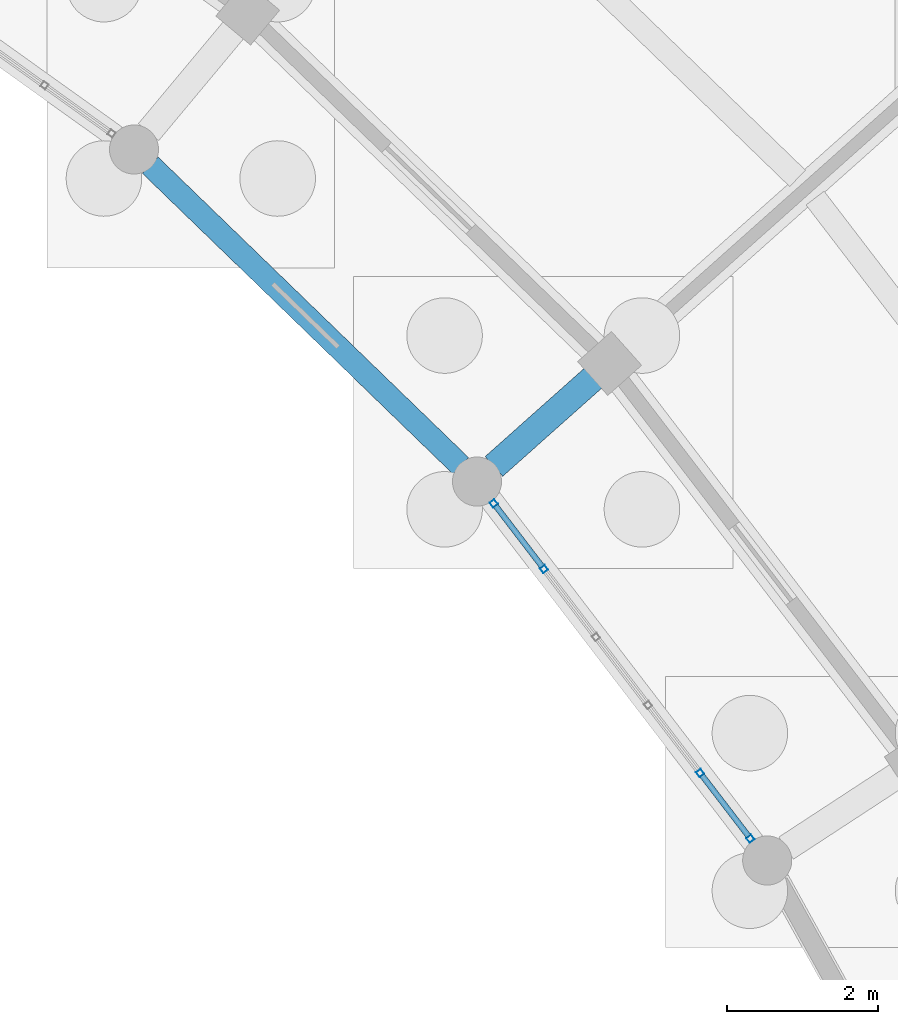
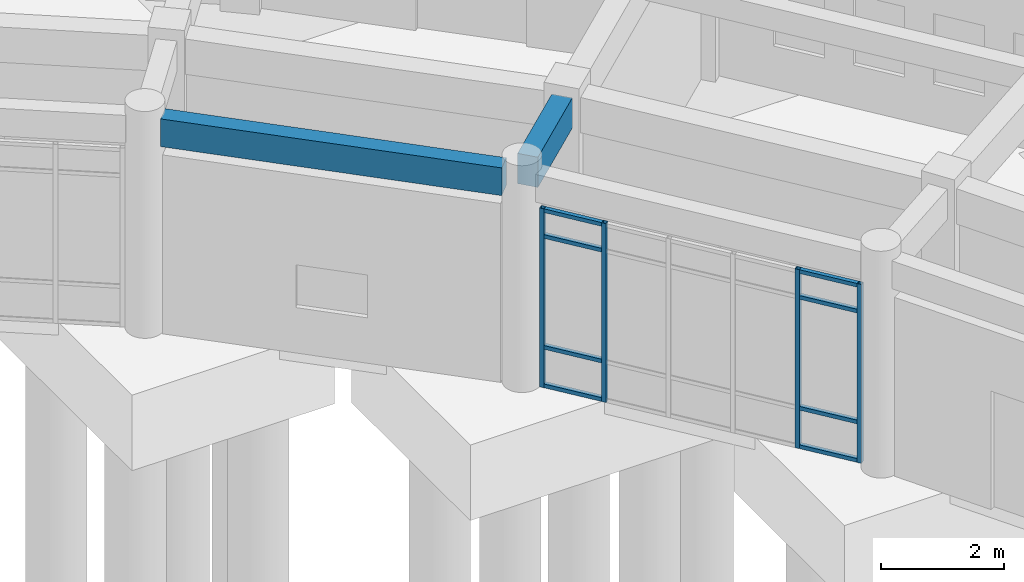
# One storey, part 78 of 153: 12 members, 2 beams, 1 element without a shape of its own.
"""IFC4 building model written with IfcOpenShell, lengths in metres."""

from ifc_helpers import new_model, si_unit, direction, frame, origin, origin_2d, place, context, subcontext, project, spatial, rectangle, hollow_rectangle, extrude, material, material_profile, profile_set, type_object, element, aggregate, save


model = new_model("IFC4")

# Units and contexts
model_context = context("Model", 3, precision=1e-05, world=origin(), true_north=direction((0.0, 1.0)))
body_context = subcontext(model_context, "Body", "Model", "MODEL_VIEW")
ifc_project = project(units=[si_unit("LENGTHUNIT", "METRE"), si_unit("AREAUNIT", "SQUARE_METRE"), si_unit("VOLUMEUNIT", "CUBIC_METRE"), si_unit("PLANEANGLEUNIT", "RADIAN"), si_unit("MASSUNIT", "GRAM", prefix="KILO")], contexts=[model_context])

# Site, building, storey
site_placement = place(None, origin())
site = spatial("IfcSite", under=ifc_project, at=site_placement, CompositionType="ELEMENT")
building_placement = place(site_placement, origin())
building = spatial("IfcBuilding", under=site, at=building_placement, Name="Celadon Cloister-Ring School", CompositionType="ELEMENT")
storey_placement = place(building_placement, origin())
storey = spatial("IfcBuildingStorey", under=building, at=storey_placement, Name="L00", CompositionType="ELEMENT", Elevation=0.0)

# Beam
ifc_material_1 = material(Name="Concrete C35/45", Category="concrete")
ifc_material_profile_1 = material_profile(ifc_material_1, rectangle(XDim=0.35009765625, YDim=0.60009765625, at=origin_2d()), Name="RC350X600")
ifc_profile_set_1 = profile_set([ifc_material_profile_1], Name="Concrete C35/45")
beam_type_1 = type_object("IfcBeamType", Name="BT-02", PredefinedType="BEAM", material=ifc_profile_set_1)
beam_1_placement = place(storey_placement, frame((120.39990234375, 88.7451171875, 3.97998046875), z_axis=(-0.746969032985, -0.664858829949, 0.0), x_axis=(0.664858829949, -0.746969032985, 0.0)))
element("IfcBeam", 1, at=beam_1_placement, inside=storey, type_object=beam_type_1, Name="Beam 0064", PredefinedType="BEAM", context=body_context, shape_type="SweptSolid", body=[
    extrude(rectangle(XDim=0.35009765625, YDim=0.60009765625, at=origin_2d()), origin(), (0.0, 0.0, 1.0), 1.775146484375),
])

# Curtain wall, members
ifc_material_2 = material(Name="Aluminium EN AW-6063 T6", Category="aluminium")
curtain_wall_type = type_object("IfcCurtainWallType", Name="CW-01", PredefinedType="USERDEFINED", material=ifc_material_2)
curtain_wall_placement = place(storey_placement, origin())
curtain_wall = element("IfcCurtainWall", 2, at=curtain_wall_placement, inside=storey, type_object=curtain_wall_type, Name="Curtain Wall 0019", ObjectType="CURTAIN WALL", PredefinedType="USERDEFINED")
ifc_material_3 = material(Name="Aluminium EN AW-6063 T6", Category="aluminium")
ifc_material_profile_2 = material_profile(ifc_material_3, hollow_rectangle(XDim=0.080078125, YDim=0.080078125, WallThickness=0.00390625, at=origin_2d()), Name="RHS80X80X4")
ifc_profile_set_2 = profile_set([ifc_material_profile_2], Name="Aluminium EN AW-6063 T6")
member_type_1 = type_object("IfcMemberType", Name="CM-03", PredefinedType="MULLION", material=ifc_profile_set_2)
member_1_placement = place(storey_placement, frame((122.46875, 82.638671875, 0.0), z_axis=(0.0, 0.0, 1.0), x_axis=(-0.794032169563, -0.607875738699, 0.0)))
member_1 = element("IfcMember", 3, at=member_1_placement, type_object=member_type_1, Name="CW-01 mullion 1", PredefinedType="MULLION", context=body_context, shape_type="SweptSolid", body=[
    extrude(hollow_rectangle(XDim=0.080078125, YDim=0.080078125, WallThickness=0.00390625, at=origin_2d()), origin(), (0.0, 0.0, 1.0), 3.550048828125),
])
member_2_placement = place(storey_placement, frame((121.803955078125, 83.507080078125, 0.0), z_axis=(0.0, 0.0, 1.0), x_axis=(-0.794032169563, -0.607875738699, 0.0)))
member_2 = element("IfcMember", 4, at=member_2_placement, type_object=member_type_1, Name="CW-01 mullion 2", PredefinedType="MULLION", context=body_context, shape_type="SweptSolid", body=[
    extrude(hollow_rectangle(XDim=0.080078125, YDim=0.080078125, WallThickness=0.00390625, at=origin_2d()), origin(), (0.0, 0.0, 1.0), 3.550048828125),
])
member_3_placement = place(storey_placement, frame((119.737060546875, 86.20703125, 0.0), z_axis=(0.0, 0.0, 1.0), x_axis=(-0.794032169563, -0.607875738699, 0.0)))
member_3 = element("IfcMember", 5, at=member_3_placement, type_object=member_type_1, Name="CW-01 mullion 5", PredefinedType="MULLION", context=body_context, shape_type="SweptSolid", body=[
    extrude(hollow_rectangle(XDim=0.080078125, YDim=0.080078125, WallThickness=0.00390625, at=origin_2d()), origin(), (0.0, 0.0, 1.0), 3.550048828125),
])
member_4_placement = place(storey_placement, frame((119.072265625, 87.0751953125, 0.0), z_axis=(0.0, 0.0, 1.0), x_axis=(-0.794032169563, -0.607875738699, 0.0)))
member_4 = element("IfcMember", 6, at=member_4_placement, type_object=member_type_1, Name="CW-01 mullion 6", PredefinedType="MULLION", context=body_context, shape_type="SweptSolid", body=[
    extrude(hollow_rectangle(XDim=0.080078125, YDim=0.080078125, WallThickness=0.00390625, at=origin_2d()), origin(), (0.0, 0.0, 1.0), 3.550048828125),
])
ifc_material_4 = material(Name="Aluminium EN AW-6063 T6", Category="aluminium")
ifc_material_profile_3 = material_profile(ifc_material_4, hollow_rectangle(XDim=0.074951171875, YDim=0.074951171875, WallThickness=0.00390625, at=origin_2d()), Name="RHS75X75X4")
ifc_profile_set_3 = profile_set([ifc_material_profile_3], Name="Aluminium EN AW-6063 T6")
member_type_2 = type_object("IfcMemberType", Name="CTM-03", PredefinedType="USERDEFINED", material=ifc_profile_set_3)
member_5_placement = place(storey_placement, frame((122.4443359375, 82.67041015625, 0.03759765625), z_axis=(-0.607718292077, 0.794152678945, 0.0), x_axis=(-0.794152678945, -0.607718292077, 0.0)))
member_5 = element("IfcMember", 7, at=member_5_placement, type_object=member_type_2, Name="CW-01 transom 1.1", ObjectType="TRANSOM", PredefinedType="USERDEFINED", context=body_context, shape_type="SweptSolid", body=[
    extrude(hollow_rectangle(XDim=0.074951171875, YDim=0.074951171875, WallThickness=0.00390625, at=origin_2d()), origin(), (0.0, 0.0, 1.0), 1.013671875),
])
member_6_placement = place(storey_placement, frame((122.4443359375, 82.67041015625, 0.800048828125), z_axis=(-0.607718292077, 0.794152678945, 0.0), x_axis=(-0.794152678945, -0.607718292077, 0.0)))
member_6 = element("IfcMember", 8, at=member_6_placement, type_object=member_type_2, Name="CW-01 transom 1.2", ObjectType="TRANSOM", PredefinedType="USERDEFINED", context=body_context, shape_type="SweptSolid", body=[
    extrude(hollow_rectangle(XDim=0.074951171875, YDim=0.074951171875, WallThickness=0.00390625, at=origin_2d()), origin(), (0.0, 0.0, 1.0), 1.013671875),
])
member_7_placement = place(storey_placement, frame((122.4443359375, 82.67041015625, 3.0), z_axis=(-0.607718292077, 0.794152678945, 0.0), x_axis=(-0.794152678945, -0.607718292077, 0.0)))
member_7 = element("IfcMember", 9, at=member_7_placement, type_object=member_type_2, Name="CW-01 transom 1.3", ObjectType="TRANSOM", PredefinedType="USERDEFINED", context=body_context, shape_type="SweptSolid", body=[
    extrude(hollow_rectangle(XDim=0.074951171875, YDim=0.074951171875, WallThickness=0.00390625, at=origin_2d()), origin(), (0.0, 0.0, 1.0), 1.013671875),
])
member_8_placement = place(storey_placement, frame((122.4443359375, 82.67041015625, 3.512451171875), z_axis=(-0.607718292077, 0.794152678945, 0.0), x_axis=(-0.794152678945, -0.607718292077, 0.0)))
member_8 = element("IfcMember", 10, at=member_8_placement, type_object=member_type_2, Name="CW-01 transom 1.4", ObjectType="TRANSOM", PredefinedType="USERDEFINED", context=body_context, shape_type="SweptSolid", body=[
    extrude(hollow_rectangle(XDim=0.074951171875, YDim=0.074951171875, WallThickness=0.00390625, at=origin_2d()), origin(), (0.0, 0.0, 1.0), 1.013671875),
])
member_9_placement = place(storey_placement, frame((119.712646484375, 86.23876953125, 0.03759765625), z_axis=(-0.607834557378, 0.794063694458, 0.0), x_axis=(-0.794063694458, -0.607834557378, 0.0)))
member_9 = element("IfcMember", 11, at=member_9_placement, type_object=member_type_2, Name="CW-01 transom 5.1", ObjectType="TRANSOM", PredefinedType="USERDEFINED", context=body_context, shape_type="SweptSolid", body=[
    extrude(hollow_rectangle(XDim=0.074951171875, YDim=0.074951171875, WallThickness=0.00390625, at=origin_2d()), origin(), (0.0, 0.0, 1.0), 1.013427734375),
])
member_10_placement = place(storey_placement, frame((119.712646484375, 86.23876953125, 0.800048828125), z_axis=(-0.607834557378, 0.794063694458, 0.0), x_axis=(-0.794063694458, -0.607834557378, 0.0)))
member_10 = element("IfcMember", 12, at=member_10_placement, type_object=member_type_2, Name="CW-01 transom 5.2", ObjectType="TRANSOM", PredefinedType="USERDEFINED", context=body_context, shape_type="SweptSolid", body=[
    extrude(hollow_rectangle(XDim=0.074951171875, YDim=0.074951171875, WallThickness=0.00390625, at=origin_2d()), origin(), (0.0, 0.0, 1.0), 1.013427734375),
])
member_11_placement = place(storey_placement, frame((119.712646484375, 86.23876953125, 3.0), z_axis=(-0.607834557378, 0.794063694458, 0.0), x_axis=(-0.794063694458, -0.607834557378, 0.0)))
member_11 = element("IfcMember", 13, at=member_11_placement, type_object=member_type_2, Name="CW-01 transom 5.3", ObjectType="TRANSOM", PredefinedType="USERDEFINED", context=body_context, shape_type="SweptSolid", body=[
    extrude(hollow_rectangle(XDim=0.074951171875, YDim=0.074951171875, WallThickness=0.00390625, at=origin_2d()), origin(), (0.0, 0.0, 1.0), 1.013427734375),
])
member_12_placement = place(storey_placement, frame((119.712646484375, 86.23876953125, 3.512451171875), z_axis=(-0.607834557378, 0.794063694458, 0.0), x_axis=(-0.794063694458, -0.607834557378, 0.0)))
member_12 = element("IfcMember", 14, at=member_12_placement, type_object=member_type_2, Name="CW-01 transom 5.4", ObjectType="TRANSOM", PredefinedType="USERDEFINED", context=body_context, shape_type="SweptSolid", body=[
    extrude(hollow_rectangle(XDim=0.074951171875, YDim=0.074951171875, WallThickness=0.00390625, at=origin_2d()), origin(), (0.0, 0.0, 1.0), 1.013427734375),
])
aggregate(curtain_wall, [member_1, member_2, member_3, member_4, member_5, member_6, member_7, member_8, member_9, member_10, member_11, member_12])

# Beam
ifc_material_5 = material(Name="Concrete C35/45", Category="concrete")
ifc_material_profile_4 = material_profile(ifc_material_5, rectangle(XDim=0.300048828125, YDim=0.550048828125, at=origin_2d()), Name="RC300X550")
ifc_profile_set_4 = profile_set([ifc_material_profile_4], Name="Concrete C35/45")
beam_type_2 = type_object("IfcBeamType", Name="SP-02", PredefinedType="SPANDREL", material=ifc_profile_set_4)
beam_2_placement = place(storey_placement, frame((118.634033203125, 87.573974609375, 4.0048828125), z_axis=(-0.718478235211, 0.695549441469, 0.0), x_axis=(-0.695549441469, -0.718478235211, 0.0)))
element("IfcBeam", 15, at=beam_2_placement, inside=storey, type_object=beam_type_2, Name="Beam 0193", PredefinedType="SPANDREL", context=body_context, shape_type="SweptSolid", body=[
    extrude(rectangle(XDim=0.300048828125, YDim=0.550048828125, at=origin_2d()), origin(), (0.0, 0.0, 1.0), 5.7177734375),
])

save(model, "model.ifc")
